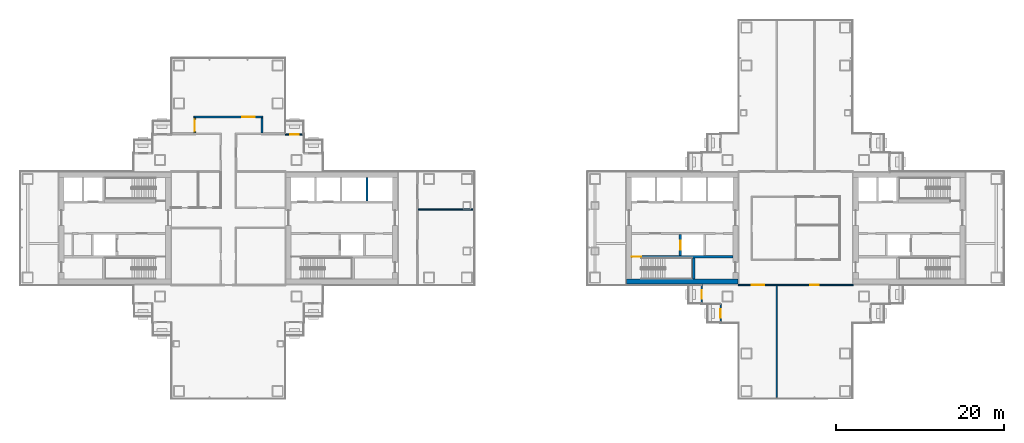
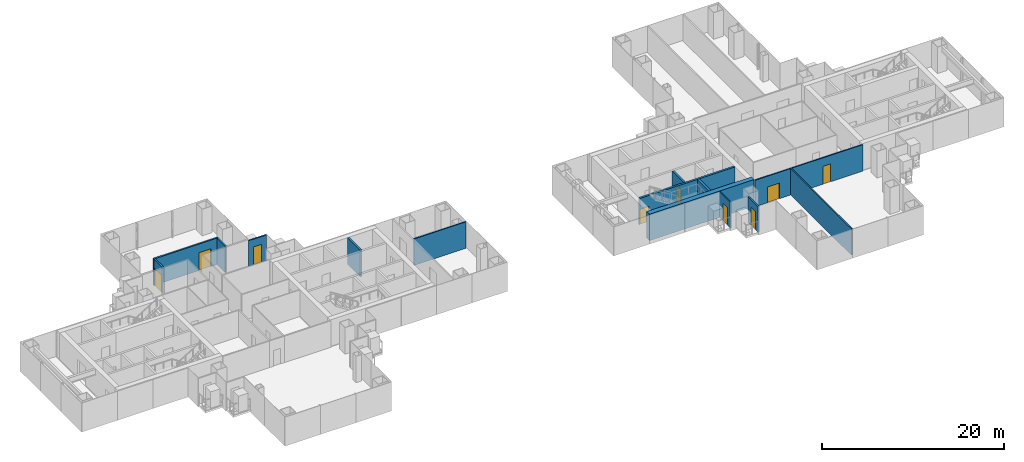
# One storey, part 14 of 20: 14 walls, 9 doors, 9 openings.
"""IFC4 building model written with IfcOpenShell, lengths in metres."""

import ifcopenshell
import ifcopenshell.guid

model = None  # the IFC model being written
_history = None  # IfcOwnerHistory: only IFC2X3 demands one
_inside = {}  # id of a spatial element -> (the spatial element, [elements in it])
_under = {}  # id of a project, library or spatial element -> (it, [spatial elements below it])
_declared = {}  # id of a project -> (the project, [libraries it declares])
_typed = {}  # id of a type object -> (the type object, [elements of that type])
_made_of = {}  # id of a material, layer set ... -> (it, [elements and type objects made of it])


def new_model(schema):
    """Start an empty IFC model of exactly this schema.

    Asked for "IFC4X3", IfcOpenShell would pick the latest addendum, in which some entities
    have other attributes; the version numbers below select the first issue.
    IFC2X3 requires an IfcOwnerHistory on every rooted entity: one is made here for all.
    """
    global model, _history
    if schema == "IFC4X3":
        model = ifcopenshell.file(schema_version=(4, 3, 0, 0))
    else:
        model = ifcopenshell.file(schema=schema)
    _inside.clear()
    _under.clear()
    _declared.clear()
    _typed.clear()
    _made_of.clear()
    _history = None
    if model.schema == "IFC2X3":
        org = make("IfcOrganization", Name="unknown")
        user = make(
            "IfcPersonAndOrganization",
            ThePerson=make("IfcPerson", FamilyName="unknown"),
            TheOrganization=org,
        )
        app = make(
            "IfcApplication",
            ApplicationDeveloper=org,
            Version="unknown",
            ApplicationFullName="unknown",
            ApplicationIdentifier="unknown",
        )
        _history = make(
            "IfcOwnerHistory",
            OwningUser=user,
            OwningApplication=app,
            ChangeAction="ADDED",
            CreationDate=0,
        )
    return model


def make(cls, **values):
    """One entity of the class cls with the attributes given. An attribute that is None is left unset."""
    return model.create_entity(
        cls, **{name: value for name, value in values.items() if value is not None}
    )


def rooted(cls, **values):
    """An entity with a GlobalId (a new one), such as an element, a storey or a relation."""
    return make(cls, GlobalId=ifcopenshell.guid.new(), OwnerHistory=_history, **values)


def si_unit(unit_type, name, prefix=None):
    """IfcSIUnit, for example si_unit("LENGTHUNIT", "METRE", prefix="MILLI")."""
    return make("IfcSIUnit", UnitType=unit_type, Prefix=prefix, Name=name)


def assignment(units):
    """IfcUnitAssignment: the units of a project."""
    return None if units is None else make("IfcUnitAssignment", Units=units)


def point(xyz):
    """IfcCartesianPoint."""
    return None if xyz is None else make("IfcCartesianPoint", Coordinates=xyz)


def direction(xyz):
    """IfcDirection."""
    return None if xyz is None else make("IfcDirection", DirectionRatios=xyz)


def frame(location, z_axis=None, x_axis=None):
    """IfcAxis2Placement3D, a coordinate frame: its origin and axes. An axis left out is left unset."""
    return make(
        "IfcAxis2Placement3D",
        Location=point(location),
        Axis=direction(z_axis),
        RefDirection=direction(x_axis),
    )


def frame_2d(location, x_axis=None):
    """IfcAxis2Placement2D, a coordinate frame in the plane: its origin and x axis."""
    return make(
        "IfcAxis2Placement2D", Location=point(location), RefDirection=direction(x_axis)
    )


def origin():
    """The frame at (0, 0, 0) with its axes left unset."""
    return frame((0.0, 0.0, 0.0))


def place(relative_to, where):
    """IfcLocalPlacement: puts the frame where relative to a parent placement (None: the world)."""
    return make(
        "IfcLocalPlacement", PlacementRelTo=relative_to, RelativePlacement=where
    )


def context(
    kind, dimensions, precision=None, world=None, true_north=None, identifier=None
):
    """IfcGeometricRepresentationContext, for example the 3D "Model" context."""
    return make(
        "IfcGeometricRepresentationContext",
        ContextIdentifier=identifier,
        ContextType=kind,
        CoordinateSpaceDimension=dimensions,
        Precision=precision,
        WorldCoordinateSystem=world,
        TrueNorth=true_north,
    )


def subcontext(parent, identifier, kind, view, scale=None):
    """IfcGeometricRepresentationSubContext, for example "Body" below "Model"."""
    return make(
        "IfcGeometricRepresentationSubContext",
        ContextIdentifier=identifier,
        ContextType=kind,
        ParentContext=parent,
        TargetScale=scale,
        TargetView=view,
    )


def project(units=None, contexts=None):
    """IfcProject with its units and contexts."""
    return rooted(
        "IfcProject",
        Name="project",
        RepresentationContexts=contexts,
        UnitsInContext=assignment(units),
    )


def spatial(cls, under=None, at=None, **own):
    """A site, building, storey or space (cls), placed at a placement, below another one or the project."""
    s = rooted(cls, ObjectPlacement=at, **own)
    if under is not None:
        _under.setdefault(under.id(), (under, []))[1].append(s)
    return s


def profile(cls, at=None, kind="AREA", **sizes):
    """A parametric profile (cls). Its sizes go by their IFC names, for example OverallWidth=200.0."""
    return make(cls, ProfileType=kind, Position=at, **sizes)


def rectangle(**sizes):
    """IfcRectangleProfileDef."""
    return profile("IfcRectangleProfileDef", **sizes)


def extrude(swept, where, along, depth):
    """IfcExtrudedAreaSolid: the profile swept, set in the frame where, extruded along a direction by depth."""
    return make(
        "IfcExtrudedAreaSolid",
        SweptArea=swept,
        Position=where,
        ExtrudedDirection=direction(along),
        Depth=depth,
    )


def shape(context_of_items, identifier, shape_type, items):
    """IfcShapeRepresentation: the items that make up one representation, for example the "Body"."""
    return make(
        "IfcShapeRepresentation",
        ContextOfItems=context_of_items,
        RepresentationIdentifier=identifier,
        RepresentationType=shape_type,
        Items=items,
    )


def material(Name=None, Category=None):
    """IfcMaterial."""
    return make("IfcMaterial", Name=Name, Category=Category)


def layer(
    of_material, thickness, ventilated=None, Name=None, Category=None, Priority=None
):
    """IfcMaterialLayer: one layer of a wall or slab, of a material (None: an air gap)."""
    return make(
        "IfcMaterialLayer",
        Material=of_material,
        LayerThickness=thickness,
        IsVentilated=ventilated,
        Name=Name,
        Category=Category,
        Priority=Priority,
    )


def layer_set(layers, Name=None):
    """IfcMaterialLayerSet."""
    return make("IfcMaterialLayerSet", MaterialLayers=layers, LayerSetName=Name)


def made_of(thing, what):
    """Note that an element or type object is made of a material, layer set ...; save() writes the relation."""
    if what is not None:
        _made_of.setdefault(what.id(), (what, []))[1].append(thing)
    return thing


def type_object(cls, material=None, **own):
    """A type object (cls), such as IfcWallType, which elements share."""
    return made_of(rooted(cls, **own), material)


def element(
    cls,
    number,
    at=None,
    inside=None,
    cuts=None,
    type_object=None,
    material=None,
    context=None,
    identifier="Body",
    shape_type=None,
    held_by="IfcProductDefinitionShape",
    body=None,
    shapes=None,
    **own,
):
    """One element of the class cls, such as IfcWall. Its Tag is "e" and its number.

    at: its placement. inside: the storey or other place that contains it. cuts: it is an
    opening in that element (IfcRelVoidsElement). A single representation is given by context,
    identifier, shape_type and body (its items); several are given by shapes. held_by: the class
    of the entity that holds the representations. save() writes the other relations.
    """
    e = rooted(cls, Tag="e%d" % number, ObjectPlacement=at, **own)
    if body is not None:
        shapes = [shape(context, identifier, shape_type, body)]
    if shapes is not None:
        e.Representation = make(held_by, Representations=shapes)
    if inside is not None:
        _inside.setdefault(inside.id(), (inside, []))[1].append(e)
    if cuts is not None:
        rooted(
            "IfcRelVoidsElement", RelatingBuildingElement=cuts, RelatedOpeningElement=e
        )
    if type_object is not None:
        _typed.setdefault(type_object.id(), (type_object, []))[1].append(e)
    return made_of(e, material)


def fill(opening, filler):
    """IfcRelFillsElement: the door or window that sits in an opening."""
    return rooted(
        "IfcRelFillsElement",
        RelatingOpeningElement=opening,
        RelatedBuildingElement=filler,
    )


def aggregate(whole, parts):
    """IfcRelAggregates: a whole, such as a stair, and the parts it consists of."""
    return rooted("IfcRelAggregates", RelatingObject=whole, RelatedObjects=parts)


def save(model, path):
    """Write the relations noted so far, then the file.

    IfcRelAggregates (storeys below a building ...), IfcRelContainedInSpatialStructure (elements
    in a storey), IfcRelDefinesByType, IfcRelAssociatesMaterial and IfcRelDeclares: one each for
    every whole, place, type object, material and project.
    """
    for whole, parts in _under.values():
        aggregate(whole, parts)
    for where, things in _inside.values():
        rooted(
            "IfcRelContainedInSpatialStructure",
            RelatedElements=things,
            RelatingStructure=where,
        )
    for kind, things in _typed.values():
        rooted("IfcRelDefinesByType", RelatedObjects=things, RelatingType=kind)
    for what, things in _made_of.values():
        rooted("IfcRelAssociatesMaterial", RelatedObjects=things, RelatingMaterial=what)
    for by, libraries in _declared.values():
        rooted("IfcRelDeclares", RelatingContext=by, RelatedDefinitions=libraries)
    model.write(path)


model = new_model("IFC4")

# Units and contexts
model_context = context("Model", 3, precision=1e-05, world=origin(), true_north=direction((0.0, 1.0)))
body_context = subcontext(model_context, "Body", "Model", "MODEL_VIEW")
ifc_project = project(units=[si_unit("LENGTHUNIT", "METRE"), si_unit("AREAUNIT", "SQUARE_METRE"), si_unit("VOLUMEUNIT", "CUBIC_METRE"), si_unit("PLANEANGLEUNIT", "RADIAN"), si_unit("MASSUNIT", "GRAM", prefix="KILO")], contexts=[model_context])

# Site, building, storey
site_placement = place(None, origin())
site = spatial("IfcSite", under=ifc_project, at=site_placement, CompositionType="ELEMENT")
building_placement = place(site_placement, origin())
building = spatial("IfcBuilding", under=site, at=building_placement, Name="Shamsa Quay Exchange Towers", CompositionType="ELEMENT")
storey_placement = place(building_placement, frame((0.0, 0.0, 120.89990234375)))
storey = spatial("IfcBuildingStorey", under=building, at=storey_placement, Name="L28", CompositionType="ELEMENT", Elevation=120.89990234375)

# Wall, opening, door
ifc_material_1 = material(Name="Double-leaf gypsum board partition with acoustic insulation")
ifc_layer_1 = layer(ifc_material_1, 0.199951171875)
ifc_layer_set_1 = layer_set([ifc_layer_1], Name="Acoustic partition 200 mm EI 60")
wall_type_1 = type_object("IfcWallType", Name="Acoustic partition 200 mm EI 60", PredefinedType="PARTITIONING", material=ifc_layer_set_1)
wall_1_placement = place(storey_placement, frame((-37.75, 13.14990234375, 0.0), z_axis=(0.0, 0.0, 1.0), x_axis=(0.0, -1.0, 0.0)))
wall_1 = element("IfcWall", 1, at=wall_1_placement, inside=storey, type_object=wall_type_1, Name="Partition T1-R13-W13", PredefinedType="PARTITIONING", context=body_context, shape_type="SweptSolid", body=[
    extrude(rectangle(XDim=1.7998046875, YDim=0.199951171875, at=frame_2d((0.89990234375, 0.0))), origin(), (0.0, 0.0, 1.0), 3.550048828125),
])
opening_1_placement = place(wall_1_placement, frame((0.14990234375, 0.0, 0.0)))
opening_1 = element("IfcOpeningElement", 2, at=opening_1_placement, cuts=wall_1, Name="Opening T1-R13-D03", PredefinedType="OPENING", context=body_context, shape_type="SweptSolid", body=[
    extrude(rectangle(XDim=1.5, YDim=2.39990234375, at=frame_2d((0.75, 1.199951171875))), frame((0.0, 0.10986328125, 0.0), z_axis=(0.0, -1.0, 0.0), x_axis=(1.0, 0.0, 0.0)), (0.0, 0.0, 1.0), 0.219970703125),
])
ifc_material_2 = material(Name="Timber door leaf in a metal frame", Category="wood")
door_type_1 = type_object("IfcDoorType", Name="Door 1500x2400 FD30S pair", OperationType="NOTDEFINED", PredefinedType="DOOR", material=ifc_material_2)
door_1_placement = place(opening_1_placement, origin())
door_1 = element("IfcDoor", 3, at=door_1_placement, inside=storey, type_object=door_type_1, Name="Door T1-R13-D03", OperationType="DOUBLE_DOOR_SINGLE_SWING", OverallHeight=2.39990234375, OverallWidth=1.5, PredefinedType="DOOR", context=body_context, shape_type="SweptSolid", body=[
    extrude(rectangle(XDim=1.5, YDim=2.39990234375, at=frame_2d((0.75, 1.199951171875))), frame((0.0, 0.02490234375, 0.0), z_axis=(0.0, -1.0, 0.0), x_axis=(1.0, 0.0, 0.0)), (0.0, 0.0, 1.0), 0.050048828125),
])
fill(opening_1, door_1)

wall_2_placement = place(storey_placement, frame((-29.64990234375, 13.25, 0.0), z_axis=(0.0, 0.0, 1.0), x_axis=(-1.0, 0.0, 0.0)))
wall_2 = element("IfcWall", 4, at=wall_2_placement, inside=storey, type_object=wall_type_1, Name="Partition T1-R13-W14", PredefinedType="PARTITIONING", context=body_context, shape_type="SweptSolid", body=[
    extrude(rectangle(XDim=8.2001953125, YDim=0.199951171875, at=frame_2d((4.10009765625, 0.0))), origin(), (0.0, 0.0, 1.0), 3.550048828125),
])
opening_2_placement = place(wall_2_placement, frame((0.949951171875, 0.0, 0.0)))
opening_2 = element("IfcOpeningElement", 5, at=opening_2_placement, cuts=wall_2, Name="Opening T1-R13-D10", PredefinedType="OPENING", context=body_context, shape_type="SweptSolid", body=[
    extrude(rectangle(XDim=1.5, YDim=2.39990234375, at=frame_2d((0.75, 1.199951171875))), frame((0.0, 0.10986328125, 0.0), z_axis=(0.0, -1.0, 0.0), x_axis=(1.0, 0.0, 0.0)), (0.0, 0.0, 1.0), 0.219970703125),
])
door_2_placement = place(opening_2_placement, origin())
door_2 = element("IfcDoor", 6, at=door_2_placement, inside=storey, type_object=door_type_1, Name="Door T1-R13-D10", OperationType="DOUBLE_DOOR_SINGLE_SWING", OverallHeight=2.39990234375, OverallWidth=1.5, PredefinedType="DOOR", context=body_context, shape_type="SweptSolid", body=[
    extrude(rectangle(XDim=1.5, YDim=2.39990234375, at=frame_2d((0.75, 1.199951171875))), frame((0.0, 0.02490234375, 0.0), z_axis=(0.0, -1.0, 0.0), x_axis=(1.0, 0.0, 0.0)), (0.0, 0.0, 1.0), 0.050048828125),
])
fill(opening_2, door_2)

# Wall
wall_3_placement = place(storey_placement, frame((-29.75, 11.35009765625, 0.0), z_axis=(0.0, 0.0, 1.0), x_axis=(0.0, 1.0, 0.0)))
element("IfcWall", 7, at=wall_3_placement, inside=storey, type_object=wall_type_1, Name="Partition T1-R13-W15", PredefinedType="PARTITIONING", context=body_context, shape_type="SweptSolid", body=[
    extrude(rectangle(XDim=1.7998046875, YDim=0.199951171875, at=frame_2d((0.89990234375, 0.0))), origin(), (0.0, 0.0, 1.0), 3.550048828125),
])

# Wall, opening, door
ifc_material_3 = material(Name="Aluminium EN AW-6063 T6, black anodised, with black enamelled glass infill", Category="aluminium")
ifc_layer_2 = layer(ifc_material_3, 0.14990234375)
ifc_layer_set_2 = layer_set([ifc_layer_2], Name="BALCONY DOOR BAY WALL 150")
wall_type_2 = type_object("IfcWallType", Name="BALCONY DOOR BAY WALL 150", PredefinedType="SOLIDWALL", material=ifc_layer_set_2)
wall_4_placement = place(storey_placement, frame((-27.0, 11.175048828125, 0.0)))
wall_4 = element("IfcWall", 8, at=wall_4_placement, inside=storey, type_object=wall_type_2, Name="Door bay T1-PKEN L28", PredefinedType="SOLIDWALL", context=body_context, shape_type="SweptSolid", body=[
    extrude(rectangle(XDim=2.25, YDim=0.14990234375, at=frame_2d((1.125, 0.0))), origin(), (0.0, 0.0, 1.0), 3.4501953125),
])
opening_3_placement = place(wall_4_placement, frame((0.625, 0.0, 0.0)))
opening_3 = element("IfcOpeningElement", 9, at=opening_3_placement, cuts=wall_4, Name="Opening XD170", PredefinedType="OPENING", context=body_context, shape_type="SweptSolid", body=[
    extrude(rectangle(XDim=1.0, YDim=2.39990234375, at=frame_2d((0.5, 1.199951171875))), frame((0.0, 0.0849609375, 0.0), z_axis=(0.0, -1.0, 0.0), x_axis=(1.0, 0.0, 0.0)), (0.0, 0.0, 1.0), 0.169921875),
])
ifc_material_4 = material(Name="Aluminium EN AW-6063 T6, black anodised, with laminated glass leaf", Category="aluminium")
door_type_2 = type_object("IfcDoorType", Name="BALCONY DOOR 1000x2400", OperationType="SINGLE_SWING_LEFT", PredefinedType="DOOR", material=ifc_material_4)
door_3_placement = place(opening_3_placement, origin())
door_3 = element("IfcDoor", 10, at=door_3_placement, inside=storey, type_object=door_type_2, Name="Balcony door T1-PKEN L28", OperationType="SINGLE_SWING_LEFT", OverallHeight=2.39990234375, OverallWidth=1.0, PredefinedType="DOOR", context=body_context, shape_type="SweptSolid", body=[
    extrude(rectangle(XDim=1.0, YDim=2.39990234375, at=frame_2d((0.5, 1.199951171875))), frame((0.0, 0.02490234375, 0.0), z_axis=(0.0, -1.0, 0.0), x_axis=(1.0, 0.0, 0.0)), (0.0, 0.0, 1.0), 0.050048828125),
])
fill(opening_3, door_3)

wall_5_placement = place(storey_placement, frame((22.574951171875, -9.0, 0.0), z_axis=(0.0, 0.0, 1.0), x_axis=(0.0, 1.0, 0.0)))
wall_5 = element("IfcWall", 11, at=wall_5_placement, inside=storey, type_object=wall_type_2, Name="Door bay T2-PKWN L28", PredefinedType="SOLIDWALL", context=body_context, shape_type="SweptSolid", body=[
    extrude(rectangle(XDim=2.35693359375, YDim=0.14990234375, at=frame_2d((1.178466796875, 0.0))), origin(), (0.0, 0.0, 1.0), 3.4501953125),
])
opening_4_placement = place(wall_5_placement, frame((0.625, 0.0, 0.0)))
opening_4 = element("IfcOpeningElement", 12, at=opening_4_placement, cuts=wall_5, Name="Opening XD181", PredefinedType="OPENING", context=body_context, shape_type="SweptSolid", body=[
    extrude(rectangle(XDim=1.0, YDim=2.39990234375, at=frame_2d((0.5, 1.199951171875))), frame((0.0, 0.0849609375, 0.0), z_axis=(0.0, -1.0, 0.0), x_axis=(1.0, 0.0, 0.0)), (0.0, 0.0, 1.0), 0.169921875),
])
door_4_placement = place(opening_4_placement, origin())
door_4 = element("IfcDoor", 13, at=door_4_placement, inside=storey, type_object=door_type_2, Name="Balcony door T2-PKWN L28", OperationType="SINGLE_SWING_LEFT", OverallHeight=2.39990234375, OverallWidth=1.0, PredefinedType="DOOR", context=body_context, shape_type="SweptSolid", body=[
    extrude(rectangle(XDim=1.0, YDim=2.39990234375, at=frame_2d((0.5, 1.199951171875))), frame((0.0, 0.02490234375, 0.0), z_axis=(0.0, -1.0, 0.0), x_axis=(1.0, 0.0, 0.0)), (0.0, 0.0, 1.0), 0.050048828125),
])
fill(opening_4, door_4)

wall_6_placement = place(storey_placement, frame((24.824951171875, -11.25, 0.0), z_axis=(0.0, 0.0, 1.0), x_axis=(0.0, 1.0, 0.0)))
wall_6 = element("IfcWall", 14, at=wall_6_placement, inside=storey, type_object=wall_type_2, Name="Door bay T2-PKWN L28", PredefinedType="SOLIDWALL", context=body_context, shape_type="SweptSolid", body=[
    extrude(rectangle(XDim=2.25, YDim=0.14990234375, at=frame_2d((1.125, 0.0))), origin(), (0.0, 0.0, 1.0), 3.4501953125),
])
opening_5_placement = place(wall_6_placement, frame((0.625, 0.0, 0.0)))
opening_5 = element("IfcOpeningElement", 15, at=opening_5_placement, cuts=wall_6, Name="Opening XD182", PredefinedType="OPENING", context=body_context, shape_type="SweptSolid", body=[
    extrude(rectangle(XDim=1.0, YDim=2.39990234375, at=frame_2d((0.5, 1.199951171875))), frame((0.0, 0.0849609375, 0.0), z_axis=(0.0, -1.0, 0.0), x_axis=(1.0, 0.0, 0.0)), (0.0, 0.0, 1.0), 0.169921875),
])
door_5_placement = place(opening_5_placement, origin())
door_5 = element("IfcDoor", 16, at=door_5_placement, inside=storey, type_object=door_type_2, Name="Balcony door T2-PKWN L28", OperationType="SINGLE_SWING_RIGHT", OverallHeight=2.39990234375, OverallWidth=1.0, PredefinedType="DOOR", context=body_context, shape_type="SweptSolid", body=[
    extrude(rectangle(XDim=1.0, YDim=2.39990234375, at=frame_2d((0.5, 1.199951171875))), frame((0.0, 0.02490234375, 0.0), z_axis=(0.0, -1.0, 0.0), x_axis=(1.0, 0.0, 0.0)), (0.0, 0.0, 1.0), 0.050048828125),
])
fill(opening_5, door_5)

# Walls
ifc_material_5 = material(Name="Concrete C70/85", Category="concrete")
ifc_layer_3 = layer(ifc_material_5, 0.60009765625)
ifc_layer_set_3 = layer_set([ifc_layer_3], Name="CORE WALL 600 C70/85")
wall_type_3 = type_object("IfcWallType", Name="CORE WALL 600 C70/85", PredefinedType="SHEAR", material=ifc_layer_set_3)
wall_7_placement = place(storey_placement, frame((13.60009765625, -6.35009765625, 0.0)))
element("IfcWall", 17, at=wall_7_placement, inside=storey, type_object=wall_type_3, Name="Core wall T2A-R13-PS", PredefinedType="SHEAR", context=body_context, shape_type="SweptSolid", body=[
    extrude(rectangle(XDim=13.2998046875, YDim=0.60009765625, at=frame_2d((6.64990234375, 0.0))), origin(), (0.0, 0.0, 1.0), 3.550048828125),
])
ifc_material_6 = material(Name="Gypsum board partition on metal studs")
ifc_layer_4 = layer(ifc_material_6, 0.14990234375)
ifc_layer_set_4 = layer_set([ifc_layer_4], Name="Partition 150 mm EI 60")
wall_type_4 = type_object("IfcWallType", Name="Partition 150 mm EI 60", PredefinedType="PARTITIONING", material=ifc_layer_set_4)
wall_8_placement = place(storey_placement, frame((-4.594970703125, 2.25, 0.0), z_axis=(0.0, 0.0, 1.0), x_axis=(-1.0, 0.0, 0.0)))
element("IfcWall", 18, at=wall_8_placement, inside=storey, type_object=wall_type_4, Name="Partition T1-R13-W25", PredefinedType="PARTITIONING", context=body_context, shape_type="SweptSolid", body=[
    extrude(rectangle(XDim=6.580078125, YDim=0.14990234375, at=frame_2d((3.2900390625, 0.0))), origin(), (0.0, 0.0, 1.0), 3.550048828125),
])

# Wall, openings, doors
wall_9_placement = place(storey_placement, frame((40.60009765625, -6.75, 0.0), z_axis=(0.0, 0.0, 1.0), x_axis=(-1.0, 0.0, 0.0)))
wall_9 = element("IfcWall", 19, at=wall_9_placement, inside=storey, type_object=wall_type_4, Name="Partition T2-R13-W08", PredefinedType="PARTITIONING", context=body_context, shape_type="SweptSolid", body=[
    extrude(rectangle(XDim=13.7001953125, YDim=0.14990234375, at=frame_2d((6.85009765625, 0.0))), origin(), (0.0, 0.0, 1.0), 3.550048828125),
])
opening_6_placement = place(wall_9_placement, frame((10.60009765625, 0.0, 0.0)))
opening_6 = element("IfcOpeningElement", 20, at=opening_6_placement, cuts=wall_9, Name="Opening T2-R13-D07", PredefinedType="OPENING", context=body_context, shape_type="SweptSolid", body=[
    extrude(rectangle(XDim=1.5, YDim=2.10009765625, at=frame_2d((0.75, 1.050048828125))), frame((0.0, 0.0849609375, 0.0), z_axis=(0.0, -1.0, 0.0), x_axis=(1.0, 0.0, 0.0)), (0.0, 0.0, 1.0), 0.169921875),
])
opening_7_placement = place(wall_9_placement, frame((4.10009765625, 0.0, 0.0)))
opening_7 = element("IfcOpeningElement", 21, at=opening_7_placement, cuts=wall_9, Name="Opening T2-R13-D08", PredefinedType="OPENING", context=body_context, shape_type="SweptSolid", body=[
    extrude(rectangle(XDim=1.0, YDim=2.39990234375, at=frame_2d((0.5, 1.199951171875))), frame((0.0, 0.0849609375, 0.0), z_axis=(0.0, -1.0, 0.0), x_axis=(1.0, 0.0, 0.0)), (0.0, 0.0, 1.0), 0.169921875),
])
door_type_3 = type_object("IfcDoorType", Name="Door 1000x2400 FD30S", OperationType="NOTDEFINED", PredefinedType="DOOR", material=ifc_material_2)
door_6_placement = place(opening_7_placement, origin())
door_6 = element("IfcDoor", 22, at=door_6_placement, inside=storey, type_object=door_type_3, Name="Door T2-R13-D08", OperationType="SINGLE_SWING_LEFT", OverallHeight=2.39990234375, OverallWidth=1.0, PredefinedType="DOOR", context=body_context, shape_type="SweptSolid", body=[
    extrude(rectangle(XDim=1.0, YDim=2.39990234375, at=frame_2d((0.5, 1.199951171875))), frame((0.0, 0.02490234375, 0.0), z_axis=(0.0, -1.0, 0.0), x_axis=(1.0, 0.0, 0.0)), (0.0, 0.0, 1.0), 0.050048828125),
])
fill(opening_7, door_6)
door_type_4 = type_object("IfcDoorType", Name="Door 1500x2100 FD30S pair", OperationType="NOTDEFINED", PredefinedType="DOOR", material=ifc_material_2)
door_7_placement = place(opening_6_placement, origin())
door_7 = element("IfcDoor", 23, at=door_7_placement, inside=storey, type_object=door_type_4, Name="Door T2-R13-D07", OperationType="DOUBLE_DOOR_SINGLE_SWING", OverallHeight=2.10009765625, OverallWidth=1.5, PredefinedType="DOOR", context=body_context, shape_type="SweptSolid", body=[
    extrude(rectangle(XDim=1.5, YDim=2.10009765625, at=frame_2d((0.75, 1.050048828125))), frame((0.0, 0.02490234375, 0.0), z_axis=(0.0, -1.0, 0.0), x_axis=(1.0, 0.0, 0.0)), (0.0, 0.0, 1.0), 0.050048828125),
])
fill(opening_6, door_7)

# Walls
wall_10_placement = place(storey_placement, frame((31.5, -6.824951171875, 0.0), z_axis=(0.0, 0.0, 1.0), x_axis=(0.0, -1.0, 0.0)))
element("IfcWall", 24, at=wall_10_placement, inside=storey, type_object=wall_type_4, Name="Partition T2-R13-W12", PredefinedType="PARTITIONING", context=body_context, shape_type="SweptSolid", body=[
    extrude(rectangle(XDim=13.330078125, YDim=0.14990234375, at=frame_2d((6.6650390625, 0.0))), origin(), (0.0, 0.0, 1.0), 3.550048828125),
])
ifc_material_7 = material(Name="Concrete C50/60", Category="concrete")
ifc_layer_5 = layer(ifc_material_7, 0.25)
ifc_layer_set_5 = layer_set([ifc_layer_5], Name="SHAFT WALL 250 C50/60")
wall_type_5 = type_object("IfcWallType", Name="SHAFT WALL 250 C50/60", PredefinedType="SHEAR", material=ifc_layer_set_5)
wall_11_placement = place(storey_placement, frame((-17.27490234375, 3.25, 0.0), z_axis=(0.0, 0.0, 1.0), x_axis=(0.0, 1.0, 0.0)))
element("IfcWall", 25, at=wall_11_placement, inside=storey, type_object=wall_type_5, Name="Shaft wall T1A-R13-D2", PredefinedType="SHEAR", context=body_context, shape_type="SweptSolid", body=[
    extrude(rectangle(XDim=2.800048828125, YDim=0.25, at=frame_2d((1.39990234375, 0.0))), origin(), (0.0, 0.0, 1.0), 3.550048828125),
])

# Wall, opening, door
wall_12_placement = place(storey_placement, frame((26.300048828125, -3.375, 0.0), z_axis=(0.0, 0.0, 1.0), x_axis=(-1.0, 0.0, 0.0)))
wall_12 = element("IfcWall", 26, at=wall_12_placement, inside=storey, type_object=wall_type_5, Name="Shaft wall T2A-R13-STL", PredefinedType="SHEAR", context=body_context, shape_type="SweptSolid", body=[
    extrude(rectangle(XDim=12.10009765625, YDim=0.25, at=frame_2d((6.050048828125, 0.0))), origin(), (0.0, 0.0, 1.0), 3.550048828125),
])
opening_8_placement = place(wall_12_placement, frame((10.949951171875, 0.0, 0.0)))
opening_8 = element("IfcOpeningElement", 27, at=opening_8_placement, cuts=wall_12, Name="Opening T2A-R13-SD04", PredefinedType="OPENING", context=body_context, shape_type="SweptSolid", body=[
    extrude(rectangle(XDim=1.10009765625, YDim=2.10009765625, at=frame_2d((0.550048828125, 1.050048828125))), frame((0.0, 0.135009765625, 0.0), z_axis=(0.0, -1.0, 0.0), x_axis=(1.0, 0.0, 0.0)), (0.0, 0.0, 1.0), 0.27001953125),
])
ifc_material_8 = material(Name="Steel, fire rated", Category="steel")
door_type_5 = type_object("IfcDoorType", Name="STAIR DOOR 1100", OperationType="SINGLE_SWING_LEFT", PredefinedType="DOOR", material=ifc_material_8)
door_8_placement = place(opening_8_placement, origin())
door_8 = element("IfcDoor", 28, at=door_8_placement, inside=storey, type_object=door_type_5, Name="T2A-R13-SD04", OperationType="SINGLE_SWING_RIGHT", OverallHeight=2.10009765625, OverallWidth=1.10009765625, PredefinedType="DOOR", context=body_context, shape_type="SweptSolid", body=[
    extrude(rectangle(XDim=1.10009765625, YDim=2.10009765625, at=frame_2d((0.550048828125, 1.050048828125))), frame((0.0, 0.02490234375, 0.0), z_axis=(0.0, -1.0, 0.0), x_axis=(1.0, 0.0, 0.0)), (0.0, 0.0, 1.0), 0.050048828125),
])
fill(opening_8, door_8)

# Wall
wall_13_placement = place(storey_placement, frame((21.625, -6.050048828125, 0.0), z_axis=(0.0, 0.0, 1.0), x_axis=(0.0, 1.0, 0.0)))
element("IfcWall", 29, at=wall_13_placement, inside=storey, type_object=wall_type_5, Name="Shaft wall T2A-R13-STF", PredefinedType="SHEAR", context=body_context, shape_type="SweptSolid", body=[
    extrude(rectangle(XDim=2.550048828125, YDim=0.25, at=frame_2d((1.27490234375, 0.0))), origin(), (0.0, 0.0, 1.0), 3.550048828125),
])

# Wall, opening, door
wall_14_placement = place(storey_placement, frame((20.02490234375, -3.25, 0.0), z_axis=(0.0, 0.0, 1.0), x_axis=(0.0, 1.0, 0.0)))
wall_14 = element("IfcWall", 30, at=wall_14_placement, inside=storey, type_object=wall_type_5, Name="Shaft wall T2A-R13-FFF", PredefinedType="SHEAR", context=body_context, shape_type="SweptSolid", body=[
    extrude(rectangle(XDim=2.5, YDim=0.25, at=frame_2d((1.25, 0.0))), origin(), (0.0, 0.0, 1.0), 3.550048828125),
])
opening_9_placement = place(wall_14_placement, frame((0.699951171875, 0.0, 0.0)))
opening_9 = element("IfcOpeningElement", 31, at=opening_9_placement, cuts=wall_14, Name="Opening T2A-R13-LDF07", PredefinedType="OPENING", context=body_context, shape_type="SweptSolid", body=[
    extrude(rectangle(XDim=1.10009765625, YDim=2.10009765625, at=frame_2d((0.550048828125, 1.050048828125))), frame((0.0, 0.135009765625, 0.0), z_axis=(0.0, -1.0, 0.0), x_axis=(1.0, 0.0, 0.0)), (0.0, 0.0, 1.0), 0.27001953125),
])
door_type_6 = type_object("IfcDoorType", Name="FIRE SERVICE LANDING DOOR 1100", OperationType="SLIDING_TO_LEFT", PredefinedType="DOOR", material=ifc_material_8)
door_9_placement = place(opening_9_placement, origin())
door_9 = element("IfcDoor", 32, at=door_9_placement, inside=storey, type_object=door_type_6, Name="T2A-R13-LDF07", OperationType="SLIDING_TO_LEFT", OverallHeight=2.10009765625, OverallWidth=1.10009765625, PredefinedType="DOOR", context=body_context, shape_type="SweptSolid", body=[
    extrude(rectangle(XDim=1.10009765625, YDim=2.10009765625, at=frame_2d((0.550048828125, 1.050048828125))), frame((0.0, 0.02490234375, 0.0), z_axis=(0.0, -1.0, 0.0), x_axis=(1.0, 0.0, 0.0)), (0.0, 0.0, 1.0), 0.050048828125),
])
fill(opening_9, door_9)

save(model, "model.ifc")
